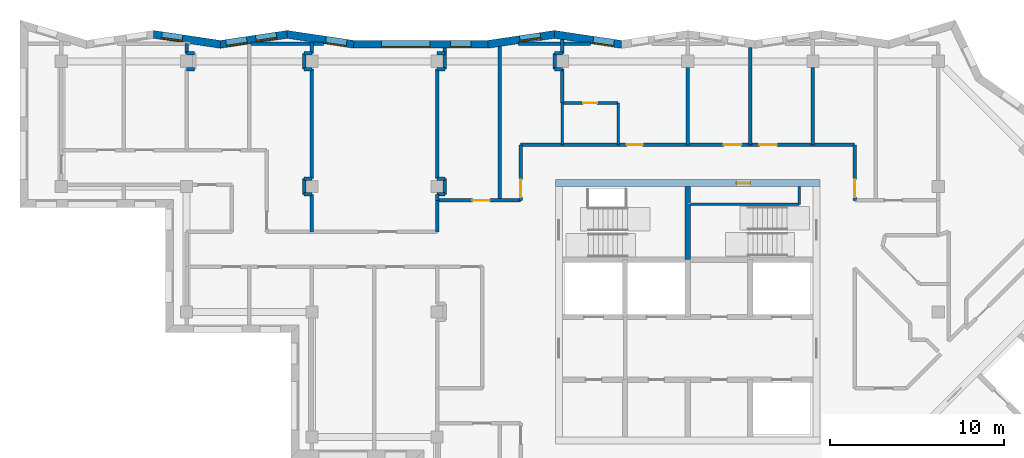
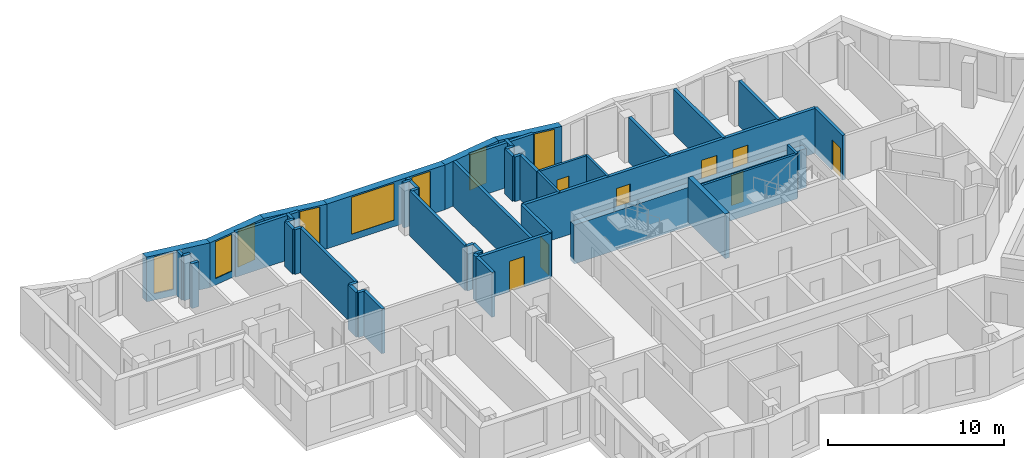
# One storey, part 6 of 12: 49 walls, 8 doors, 8 windows, 16 openings.
"""IFC4 building model written with IfcOpenShell, lengths in metres."""

from ifc_helpers import new_model, si_unit, direction, frame, frame_2d, origin, place, context, subcontext, project, spatial, polyline, rectangle, outline, extrude, material, layer, layer_set, type_object, element, fill, save


model = new_model("IFC4")

# Units and contexts
model_context = context("Model", 3, precision=1e-05, world=origin(), true_north=direction((0.0, 1.0)))
body_context = subcontext(model_context, "Body", "Model", "MODEL_VIEW")
ifc_project = project(units=[si_unit("LENGTHUNIT", "METRE"), si_unit("AREAUNIT", "SQUARE_METRE"), si_unit("VOLUMEUNIT", "CUBIC_METRE"), si_unit("PLANEANGLEUNIT", "RADIAN"), si_unit("MASSUNIT", "GRAM", prefix="KILO")], contexts=[model_context])

# Site, building, storey
site_placement = place(None, origin())
site = spatial("IfcSite", under=ifc_project, at=site_placement, CompositionType="ELEMENT")
building_placement = place(site_placement, origin())
building = spatial("IfcBuilding", under=site, at=building_placement, Name="Windrow Commons", CompositionType="ELEMENT")
storey_placement = place(building_placement, frame((0.0, 0.0, 274.4)))
storey = spatial("IfcBuildingStorey", under=building, at=storey_placement, Name="L75", CompositionType="ELEMENT", Elevation=274.4)

# Wall, opening, window
ifc_material_1 = material(Name="Brick masonry, red clay brick", Category="masonry")
ifc_layer_1 = layer(ifc_material_1, 0.45)
ifc_layer_set_1 = layer_set([ifc_layer_1], Name="Brick facade wall 450")
wall_type_1 = type_object("IfcWallType", Name="Brick facade wall 450", PredefinedType="SOLIDWALL", material=ifc_layer_set_1)
wall_1_placement = place(storey_placement, frame((60.9845, 72.9725, 0.0), z_axis=(0.0, 0.0, 1.0), x_axis=(-0.9890847468, 0.1473477641, 0.0)))
wall_1 = element("IfcWall", 1, at=wall_1_placement, inside=storey, type_object=wall_type_1, Name="Brick facade wall L75 21", PredefinedType="SOLIDWALL", context=body_context, shape_type="SweptSolid", body=[
    extrude(outline(polyline([(0.0335, -0.225), (3.9155, -0.225), (3.8485, 0.225), (-0.0335, 0.225), (0.0335, -0.225)])), origin(), (0.0, 0.0, 1.0), 3.1),
])
opening_1_placement = place(wall_1_placement, frame((0.4286, 0.0, 0.45)))
opening_1 = element("IfcOpeningElement", 2, at=opening_1_placement, cuts=wall_1, Name="Opening W7F", PredefinedType="OPENING", context=body_context, shape_type="SweptSolid", body=[
    extrude(rectangle(XDim=1.2, YDim=2.55, at=frame_2d((0.6, 1.275))), frame((0.0, 0.235, 0.0), z_axis=(0.0, -1.0, 0.0), x_axis=(1.0, 0.0, 0.0)), (0.0, 0.0, 1.0), 0.47),
])
ifc_material_2 = material(Name="Clear float glass in anodised aluminium frame", Category="aluminium")
window_type_1 = type_object("IfcWindowType", Name="Window W7 notch 1200x2550", PartitioningType="SINGLE_PANEL", PredefinedType="WINDOW", material=ifc_material_2)
window_1_placement = place(opening_1_placement, origin())
window_1 = element("IfcWindow", 3, at=window_1_placement, inside=storey, type_object=window_type_1, Name="Window L75 21.1A", OverallHeight=2.55, OverallWidth=1.2, PartitioningType="SINGLE_PANEL", PredefinedType="WINDOW", context=body_context, shape_type="SweptSolid", body=[
    extrude(rectangle(XDim=1.2, YDim=2.55, at=frame_2d((0.6, 1.275))), frame((0.0, 0.205, 0.0), z_axis=(0.0, -1.0, 0.0), x_axis=(1.0, 0.0, 0.0)), (0.0, 0.0, 1.0), 0.06),
])
fill(opening_1, window_1)

wall_2_placement = place(storey_placement, frame((57.1449, 73.5445, 0.0), z_axis=(0.0, 0.0, 1.0), x_axis=(-0.9890857661, -0.1473409217, 0.0)))
wall_2 = element("IfcWall", 4, at=wall_2_placement, inside=storey, type_object=wall_type_1, Name="Brick facade wall L75 22", PredefinedType="SOLIDWALL", context=body_context, shape_type="SweptSolid", body=[
    extrude(outline(polyline([(-0.0335, -0.225), (3.8485, -0.225), (3.8818, 0.225), (0.0335, 0.225), (-0.0335, -0.225)])), origin(), (0.0, 0.0, 1.0), 3.1),
])
opening_2_placement = place(wall_2_placement, frame((0.8066, 0.0, 0.45)))
opening_2 = element("IfcOpeningElement", 5, at=opening_2_placement, cuts=wall_2, Name="Opening W7F", PredefinedType="OPENING", context=body_context, shape_type="SweptSolid", body=[
    extrude(rectangle(XDim=1.2, YDim=2.55, at=frame_2d((0.6, 1.275))), frame((0.0, 0.235, 0.0), z_axis=(0.0, -1.0, 0.0), x_axis=(1.0, 0.0, 0.0)), (0.0, 0.0, 1.0), 0.47),
])
window_2_placement = place(opening_2_placement, origin())
window_2 = element("IfcWindow", 6, at=window_2_placement, inside=storey, type_object=window_type_1, Name="Window L75 22.1", OverallHeight=2.55, OverallWidth=1.2, PartitioningType="SINGLE_PANEL", PredefinedType="WINDOW", context=body_context, shape_type="SweptSolid", body=[
    extrude(rectangle(XDim=1.2, YDim=2.55, at=frame_2d((0.6, 1.275))), frame((0.0, 0.115, 0.0), z_axis=(0.0, -1.0, 0.0), x_axis=(1.0, 0.0, 0.0)), (0.0, 0.0, 1.0), 0.06),
])
fill(opening_2, window_2)

# Wall, openings, windows
wall_3_placement = place(storey_placement, frame((53.3219, 72.975, 0.0), z_axis=(0.0, 0.0, 1.0), x_axis=(-1.0, 0.0, 0.0)))
wall_3 = element("IfcWall", 7, at=wall_3_placement, inside=storey, type_object=wall_type_1, Name="Brick facade wall L75 23", PredefinedType="SOLIDWALL", context=body_context, shape_type="SweptSolid", body=[
    extrude(outline(polyline([(0.0167, -0.225), (7.6959, -0.225), (7.7292, 0.225), (-0.0167, 0.225), (0.0167, -0.225)])), origin(), (0.0, 0.0, 1.0), 3.1),
])
opening_3_placement = place(wall_3_placement, frame((3.3219, 0.0, 0.45)))
opening_3 = element("IfcOpeningElement", 8, at=opening_3_placement, cuts=wall_3, Name="Opening W1V", PredefinedType="OPENING", context=body_context, shape_type="SweptSolid", body=[
    extrude(rectangle(XDim=2.8, YDim=2.55, at=frame_2d((1.4, 1.275))), frame((0.0, 0.235, 0.0), z_axis=(0.0, -1.0, 0.0), x_axis=(1.0, 0.0, 0.0)), (0.0, 0.0, 1.0), 0.47),
])
opening_4_placement = place(wall_3_placement, frame((0.961, 0.0, 0.45)))
opening_4 = element("IfcOpeningElement", 9, at=opening_4_placement, cuts=wall_3, Name="Opening W7F", PredefinedType="OPENING", context=body_context, shape_type="SweptSolid", body=[
    extrude(rectangle(XDim=1.2, YDim=2.55, at=frame_2d((0.6, 1.275))), frame((0.0, 0.235, 0.0), z_axis=(0.0, -1.0, 0.0), x_axis=(1.0, 0.0, 0.0)), (0.0, 0.0, 1.0), 0.47),
])
ifc_material_3 = material(Name="Clear float glass in anodised aluminium frame", Category="aluminium")
window_type_2 = type_object("IfcWindowType", Name="Window W1V bedroom 2800x2550", PartitioningType="SINGLE_PANEL", PredefinedType="WINDOW", material=ifc_material_3)
window_3_placement = place(opening_3_placement, origin())
window_3 = element("IfcWindow", 10, at=window_3_placement, inside=storey, type_object=window_type_2, Name="Window L75 23.1", OverallHeight=2.55, OverallWidth=2.8, PartitioningType="SINGLE_PANEL", PredefinedType="WINDOW", context=body_context, shape_type="SweptSolid", body=[
    extrude(rectangle(XDim=2.8, YDim=2.55, at=frame_2d((1.4, 1.275))), frame((0.0, 0.205, 0.0), z_axis=(0.0, -1.0, 0.0), x_axis=(1.0, 0.0, 0.0)), (0.0, 0.0, 1.0), 0.06),
])
fill(opening_3, window_3)
window_4_placement = place(opening_4_placement, origin())
window_4 = element("IfcWindow", 11, at=window_4_placement, inside=storey, type_object=window_type_1, Name="Window L75 23.2", OverallHeight=2.55, OverallWidth=1.2, PartitioningType="SINGLE_PANEL", PredefinedType="WINDOW", context=body_context, shape_type="SweptSolid", body=[
    extrude(rectangle(XDim=1.2, YDim=2.55, at=frame_2d((0.6, 1.275))), frame((0.0, 0.205, 0.0), z_axis=(0.0, -1.0, 0.0), x_axis=(1.0, 0.0, 0.0)), (0.0, 0.0, 1.0), 0.06),
])
fill(opening_4, window_4)

# Wall, opening, window
wall_4_placement = place(storey_placement, frame((45.6094, 72.975, 0.0), z_axis=(0.0, 0.0, 1.0), x_axis=(-0.9890857661, 0.1473409217, 0.0)))
wall_4 = element("IfcWall", 12, at=wall_4_placement, inside=storey, type_object=wall_type_1, Name="Brick facade wall L75 24", PredefinedType="SOLIDWALL", context=body_context, shape_type="SweptSolid", body=[
    extrude(outline(polyline([(0.0167, -0.225), (3.8987, -0.225), (3.8316, 0.225), (-0.0167, 0.225), (0.0167, -0.225)])), origin(), (0.0, 0.0, 1.0), 3.1),
])
opening_5_placement = place(wall_4_placement, frame((0.418, 0.0, 0.45)))
opening_5 = element("IfcOpeningElement", 13, at=opening_5_placement, cuts=wall_4, Name="Opening W7F", PredefinedType="OPENING", context=body_context, shape_type="SweptSolid", body=[
    extrude(rectangle(XDim=1.2, YDim=2.55, at=frame_2d((0.6, 1.275))), frame((0.0, 0.235, 0.0), z_axis=(0.0, -1.0, 0.0), x_axis=(1.0, 0.0, 0.0)), (0.0, 0.0, 1.0), 0.47),
])
window_5_placement = place(opening_5_placement, origin())
window_5 = element("IfcWindow", 14, at=window_5_placement, inside=storey, type_object=window_type_1, Name="Window L75 24.1", OverallHeight=2.55, OverallWidth=1.2, PartitioningType="SINGLE_PANEL", PredefinedType="WINDOW", context=body_context, shape_type="SweptSolid", body=[
    extrude(rectangle(XDim=1.2, YDim=2.55, at=frame_2d((0.6, 1.275))), frame((0.0, 0.205, 0.0), z_axis=(0.0, -1.0, 0.0), x_axis=(1.0, 0.0, 0.0)), (0.0, 0.0, 1.0), 0.06),
])
fill(opening_5, window_5)

# Wall, openings, windows
wall_5_placement = place(storey_placement, frame((41.7864, 73.5445, 0.0), z_axis=(0.0, 0.0, 1.0), x_axis=(-0.9890847468, -0.1473477641, 0.0)))
wall_5 = element("IfcWall", 15, at=wall_5_placement, inside=storey, type_object=wall_type_1, Name="Brick facade wall L75 25", PredefinedType="SOLIDWALL", context=body_context, shape_type="SweptSolid", body=[
    extrude(outline(polyline([(-0.0335, -0.225), (3.8485, -0.225), (3.9155, 0.225), (0.0335, 0.225), (-0.0335, -0.225)])), origin(), (0.0, 0.0, 1.0), 3.1),
])
opening_6_placement = place(wall_5_placement, frame((0.622, 0.0, 0.45)))
opening_6 = element("IfcOpeningElement", 16, at=opening_6_placement, cuts=wall_5, Name="Opening W7F", PredefinedType="OPENING", context=body_context, shape_type="SweptSolid", body=[
    extrude(rectangle(XDim=1.2, YDim=2.55, at=frame_2d((0.6, 1.275))), frame((0.0, 0.235, 0.0), z_axis=(0.0, -1.0, 0.0), x_axis=(1.0, 0.0, 0.0)), (0.0, 0.0, 1.0), 0.47),
])
opening_7_placement = place(wall_5_placement, frame((2.3463, 0.0, 0.45)))
opening_7 = element("IfcOpeningElement", 17, at=opening_7_placement, cuts=wall_5, Name="Opening W7F", PredefinedType="OPENING", context=body_context, shape_type="SweptSolid", body=[
    extrude(rectangle(XDim=1.2, YDim=2.55, at=frame_2d((0.6, 1.275))), frame((0.0, 0.235, 0.0), z_axis=(0.0, -1.0, 0.0), x_axis=(1.0, 0.0, 0.0)), (0.0, 0.0, 1.0), 0.47),
])
window_6_placement = place(opening_6_placement, origin())
window_6 = element("IfcWindow", 18, at=window_6_placement, inside=storey, type_object=window_type_1, Name="Window L75 25.1", OverallHeight=2.55, OverallWidth=1.2, PartitioningType="SINGLE_PANEL", PredefinedType="WINDOW", context=body_context, shape_type="SweptSolid", body=[
    extrude(rectangle(XDim=1.2, YDim=2.55, at=frame_2d((0.6, 1.275))), frame((0.0, 0.145, 0.0), z_axis=(0.0, -1.0, 0.0), x_axis=(1.0, 0.0, 0.0)), (0.0, 0.0, 1.0), 0.06),
])
fill(opening_6, window_6)
window_7_placement = place(opening_7_placement, origin())
window_7 = element("IfcWindow", 19, at=window_7_placement, inside=storey, type_object=window_type_1, Name="Window L75 25.2", OverallHeight=2.55, OverallWidth=1.2, PartitioningType="SINGLE_PANEL", PredefinedType="WINDOW", context=body_context, shape_type="SweptSolid", body=[
    extrude(rectangle(XDim=1.2, YDim=2.55, at=frame_2d((0.6, 1.275))), frame((0.0, 0.175, 0.0), z_axis=(0.0, -1.0, 0.0), x_axis=(1.0, 0.0, 0.0)), (0.0, 0.0, 1.0), 0.06),
])
fill(opening_7, window_7)

# Wall, opening, window
wall_6_placement = place(storey_placement, frame((37.9468, 72.9725, 0.0), z_axis=(0.0, 0.0, 1.0), x_axis=(-0.9890847468, 0.1473477641, 0.0)))
wall_6 = element("IfcWall", 20, at=wall_6_placement, inside=storey, type_object=wall_type_1, Name="Brick facade wall L75 26", PredefinedType="SOLIDWALL", context=body_context, shape_type="SweptSolid", body=[
    extrude(outline(polyline([(0.0335, -0.225), (3.9155, -0.225), (3.8485, 0.225), (-0.0335, 0.225), (0.0335, -0.225)])), origin(), (0.0, 0.0, 1.0), 3.1),
])
opening_8_placement = place(wall_6_placement, frame((2.2084, 0.0, 0.45)))
opening_8 = element("IfcOpeningElement", 21, at=opening_8_placement, cuts=wall_6, Name="Opening W7F", PredefinedType="OPENING", context=body_context, shape_type="SweptSolid", body=[
    extrude(rectangle(XDim=1.2, YDim=2.55, at=frame_2d((0.6, 1.275))), frame((0.0, 0.235, 0.0), z_axis=(0.0, -1.0, 0.0), x_axis=(1.0, 0.0, 0.0)), (0.0, 0.0, 1.0), 0.47),
])
window_8_placement = place(opening_8_placement, origin())
window_8 = element("IfcWindow", 22, at=window_8_placement, inside=storey, type_object=window_type_1, Name="Window L75 26.2", OverallHeight=2.55, OverallWidth=1.2, PartitioningType="SINGLE_PANEL", PredefinedType="WINDOW", context=body_context, shape_type="SweptSolid", body=[
    extrude(rectangle(XDim=1.2, YDim=2.55, at=frame_2d((0.6, 1.275))), frame((0.0, 0.165, 0.0), z_axis=(0.0, -1.0, 0.0), x_axis=(1.0, 0.0, 0.0)), (0.0, 0.0, 1.0), 0.06),
])
fill(opening_8, window_8)

# Wall, openings, doors
ifc_material_4 = material(Name="Blockwork partition", Category="masonry")
ifc_layer_2 = layer(ifc_material_4, 0.2)
ifc_layer_set_2 = layer_set([ifc_layer_2], Name="IW-CORRIDOR-200")
wall_type_2 = type_object("IfcWallType", Name="IW-CORRIDOR-200", PredefinedType="PARTITIONING", material=ifc_layer_set_2)
wall_7_placement = place(storey_placement, frame((55.2, 67.2, 0.0), z_axis=(0.0, 0.0, 1.0), x_axis=(1.0, 0.0, 0.0)))
wall_7 = element("IfcWall", 23, at=wall_7_placement, inside=storey, type_object=wall_type_2, Name="W-L75-W000", PredefinedType="PARTITIONING", context=body_context, shape_type="SweptSolid", body=[
    extrude(rectangle(XDim=19.2, YDim=0.2, at=frame_2d((9.6, 0.0))), origin(), (0.0, 0.0, 1.0), 3.1),
])
opening_9_placement = place(wall_7_placement, frame((6.1081, 0.0, 0.0)))
opening_9 = element("IfcOpeningElement", 24, at=opening_9_placement, cuts=wall_7, Name="Opening D109F", PredefinedType="OPENING", context=body_context, shape_type="SweptSolid", body=[
    extrude(rectangle(XDim=0.9, YDim=2.1, at=frame_2d((0.45, 1.05))), frame((0.0, 0.11, 0.0), z_axis=(0.0, -1.0, 0.0), x_axis=(1.0, 0.0, 0.0)), (0.0, 0.0, 1.0), 0.22),
])
opening_10_placement = place(wall_7_placement, frame((11.675, 0.0, 0.0)))
opening_10 = element("IfcOpeningElement", 25, at=opening_10_placement, cuts=wall_7, Name="Opening D310F", PredefinedType="OPENING", context=body_context, shape_type="SweptSolid", body=[
    extrude(rectangle(XDim=1.0, YDim=2.1, at=frame_2d((0.5, 1.05))), frame((0.0, 0.11, 0.0), z_axis=(0.0, -1.0, 0.0), x_axis=(1.0, 0.0, 0.0)), (0.0, 0.0, 1.0), 0.22),
])
opening_11_placement = place(wall_7_placement, frame((13.725, 0.0, 0.0)))
opening_11 = element("IfcOpeningElement", 26, at=opening_11_placement, cuts=wall_7, Name="Opening D310F", PredefinedType="OPENING", context=body_context, shape_type="SweptSolid", body=[
    extrude(rectangle(XDim=1.0, YDim=2.1, at=frame_2d((0.5, 1.05))), frame((0.0, 0.11, 0.0), z_axis=(0.0, -1.0, 0.0), x_axis=(1.0, 0.0, 0.0)), (0.0, 0.0, 1.0), 0.22),
])
ifc_material_5 = material(Name="Timber door leaf", Category="wood")
door_type_1 = type_object("IfcDoorType", Name="DT-AMENITY-1000", OperationType="SINGLE_SWING_LEFT", PredefinedType="DOOR", material=ifc_material_5)
door_1_placement = place(opening_10_placement, origin())
door_1 = element("IfcDoor", 27, at=door_1_placement, inside=storey, type_object=door_type_1, Name="D-L75-D011", OperationType="SINGLE_SWING_RIGHT", OverallHeight=2.1, OverallWidth=1.0, PredefinedType="DOOR", context=body_context, shape_type="SweptSolid", body=[
    extrude(rectangle(XDim=1.0, YDim=2.1, at=frame_2d((0.5, 1.05))), frame((0.0, 0.025, 0.0), z_axis=(0.0, -1.0, 0.0), x_axis=(1.0, 0.0, 0.0)), (0.0, 0.0, 1.0), 0.05),
])
fill(opening_10, door_1)
door_2_placement = place(opening_11_placement, origin())
door_2 = element("IfcDoor", 28, at=door_2_placement, inside=storey, type_object=door_type_1, Name="D-L75-D012", OperationType="SINGLE_SWING_LEFT", OverallHeight=2.1, OverallWidth=1.0, PredefinedType="DOOR", context=body_context, shape_type="SweptSolid", body=[
    extrude(rectangle(XDim=1.0, YDim=2.1, at=frame_2d((0.5, 1.05))), frame((0.0, 0.025, 0.0), z_axis=(0.0, -1.0, 0.0), x_axis=(1.0, 0.0, 0.0)), (0.0, 0.0, 1.0), 0.05),
])
fill(opening_11, door_2)
ifc_material_6 = material(Name="Timber door leaf", Category="wood")
door_type_2 = type_object("IfcDoorType", Name="DT-BEDROOM-900", OperationType="SINGLE_SWING_LEFT", PredefinedType="DOOR", material=ifc_material_6)
door_3_placement = place(opening_9_placement, origin())
door_3 = element("IfcDoor", 29, at=door_3_placement, inside=storey, type_object=door_type_2, Name="D-L75-D009", OperationType="SINGLE_SWING_RIGHT", OverallHeight=2.1, OverallWidth=0.9, PredefinedType="DOOR", context=body_context, shape_type="SweptSolid", body=[
    extrude(rectangle(XDim=0.9, YDim=2.1, at=frame_2d((0.45, 1.05))), frame((0.0, 0.025, 0.0), z_axis=(0.0, -1.0, 0.0), x_axis=(1.0, 0.0, 0.0)), (0.0, 0.0, 1.0), 0.05),
])
fill(opening_9, door_3)

# Wall, opening, door
wall_8_placement = place(storey_placement, frame((50.4, 64.0, 0.0), z_axis=(0.0, 0.0, 1.0), x_axis=(1.0, 0.0, 0.0)))
wall_8 = element("IfcWall", 30, at=wall_8_placement, inside=storey, type_object=wall_type_2, Name="W-L75-W031", PredefinedType="PARTITIONING", context=body_context, shape_type="SweptSolid", body=[
    extrude(rectangle(XDim=4.8, YDim=0.2, at=frame_2d((2.4, 0.0))), origin(), (0.0, 0.0, 1.0), 3.1),
])
opening_12_placement = place(wall_8_placement, frame((2.0325, 0.0, 0.0)))
opening_12 = element("IfcOpeningElement", 31, at=opening_12_placement, cuts=wall_8, Name="Opening D310F", PredefinedType="OPENING", context=body_context, shape_type="SweptSolid", body=[
    extrude(rectangle(XDim=1.0, YDim=2.1, at=frame_2d((0.5, 1.05))), frame((0.0, 0.11, 0.0), z_axis=(0.0, -1.0, 0.0), x_axis=(1.0, 0.0, 0.0)), (0.0, 0.0, 1.0), 0.22),
])
door_4_placement = place(opening_12_placement, origin())
door_4 = element("IfcDoor", 32, at=door_4_placement, inside=storey, type_object=door_type_1, Name="D-L75-D003", OperationType="SINGLE_SWING_RIGHT", OverallHeight=2.1, OverallWidth=1.0, PredefinedType="DOOR", context=body_context, shape_type="SweptSolid", body=[
    extrude(rectangle(XDim=1.0, YDim=2.1, at=frame_2d((0.5, 1.05))), frame((0.0, 0.025, 0.0), z_axis=(0.0, -1.0, 0.0), x_axis=(1.0, 0.0, 0.0)), (0.0, 0.0, 1.0), 0.05),
])
fill(opening_12, door_4)

wall_9_placement = place(storey_placement, frame((55.2, 64.002, 0.0), z_axis=(0.0, 0.0, 1.0), x_axis=(0.0, 1.0, 0.0)))
wall_9 = element("IfcWall", 33, at=wall_9_placement, inside=storey, type_object=wall_type_2, Name="W-L75-W056", PredefinedType="PARTITIONING", context=body_context, shape_type="SweptSolid", body=[
    extrude(rectangle(XDim=3.198, YDim=0.2, at=frame_2d((1.599, 0.0))), origin(), (0.0, 0.0, 1.0), 3.1),
])
opening_13_placement = place(wall_9_placement, frame((0.1937, 0.0, 0.0)))
opening_13 = element("IfcOpeningElement", 34, at=opening_13_placement, cuts=wall_9, Name="Opening D310F", PredefinedType="OPENING", context=body_context, shape_type="SweptSolid", body=[
    extrude(rectangle(XDim=1.0, YDim=2.1, at=frame_2d((0.5, 1.05))), frame((0.0, 0.11, 0.0), z_axis=(0.0, -1.0, 0.0), x_axis=(1.0, 0.0, 0.0)), (0.0, 0.0, 1.0), 0.22),
])
door_5_placement = place(opening_13_placement, origin())
door_5 = element("IfcDoor", 35, at=door_5_placement, inside=storey, type_object=door_type_1, Name="D-L75-D004", OperationType="SINGLE_SWING_LEFT", OverallHeight=2.1, OverallWidth=1.0, PredefinedType="DOOR", context=body_context, shape_type="SweptSolid", body=[
    extrude(rectangle(XDim=1.0, YDim=2.1, at=frame_2d((0.5, 1.05))), frame((0.0, 0.025, 0.0), z_axis=(0.0, -1.0, 0.0), x_axis=(1.0, 0.0, 0.0)), (0.0, 0.0, 1.0), 0.05),
])
fill(opening_13, door_5)

wall_10_placement = place(storey_placement, frame((74.4, 64.002, 0.0), z_axis=(0.0, 0.0, 1.0), x_axis=(0.0, 1.0, 0.0)))
wall_10 = element("IfcWall", 36, at=wall_10_placement, inside=storey, type_object=wall_type_2, Name="W-L75-W057", PredefinedType="PARTITIONING", context=body_context, shape_type="SweptSolid", body=[
    extrude(rectangle(XDim=3.198, YDim=0.2, at=frame_2d((1.599, 0.0))), origin(), (0.0, 0.0, 1.0), 3.1),
])
opening_14_placement = place(wall_10_placement, frame((0.1937, 0.0, 0.0)))
opening_14 = element("IfcOpeningElement", 37, at=opening_14_placement, cuts=wall_10, Name="Opening D310F", PredefinedType="OPENING", context=body_context, shape_type="SweptSolid", body=[
    extrude(rectangle(XDim=1.0, YDim=2.1, at=frame_2d((0.5, 1.05))), frame((0.0, 0.11, 0.0), z_axis=(0.0, -1.0, 0.0), x_axis=(1.0, 0.0, 0.0)), (0.0, 0.0, 1.0), 0.22),
])
door_6_placement = place(opening_14_placement, origin())
door_6 = element("IfcDoor", 38, at=door_6_placement, inside=storey, type_object=door_type_1, Name="D-L75-D005", OperationType="SINGLE_SWING_RIGHT", OverallHeight=2.1, OverallWidth=1.0, PredefinedType="DOOR", context=body_context, shape_type="SweptSolid", body=[
    extrude(rectangle(XDim=1.0, YDim=2.1, at=frame_2d((0.5, 1.05))), frame((0.0, 0.025, 0.0), z_axis=(0.0, -1.0, 0.0), x_axis=(1.0, 0.0, 0.0)), (0.0, 0.0, 1.0), 0.05),
])
fill(opening_14, door_6)

# Wall
wall_11_placement = place(storey_placement, frame((50.4, 62.202, 0.0), z_axis=(0.0, 0.0, 1.0), x_axis=(0.0, 1.0, 0.0)))
element("IfcWall", 39, at=wall_11_placement, inside=storey, type_object=wall_type_2, Name="W-L75-W096", PredefinedType="PARTITIONING", context=body_context, shape_type="SweptSolid", body=[
    extrude(rectangle(XDim=1.798, YDim=0.2, at=frame_2d((0.899, 0.0))), origin(), (0.0, 0.0, 1.0), 3.1),
])

# Wall, opening, door
ifc_material_7 = material(Name="Blockwork partition", Category="masonry")
ifc_layer_3 = layer(ifc_material_7, 0.15)
ifc_layer_set_3 = layer_set([ifc_layer_3], Name="IW-ENSUITE-150")
wall_type_3 = type_object("IfcWallType", Name="IW-ENSUITE-150", PredefinedType="PARTITIONING", material=ifc_layer_set_3)
wall_12_placement = place(storey_placement, frame((57.6, 69.6, 0.0), z_axis=(0.0, 0.0, 1.0), x_axis=(1.0, 0.0, 0.0)))
wall_12 = element("IfcWall", 40, at=wall_12_placement, inside=storey, type_object=wall_type_3, Name="W-L75-W055", PredefinedType="PARTITIONING", context=body_context, shape_type="SweptSolid", body=[
    extrude(rectangle(XDim=3.2, YDim=0.15, at=frame_2d((1.6, 0.0))), origin(), (0.0, 0.0, 1.0), 3.1),
])
opening_15_placement = place(wall_12_placement, frame((1.1958, 0.0, 0.0)))
opening_15 = element("IfcOpeningElement", 41, at=opening_15_placement, cuts=wall_12, Name="Opening D208N", PredefinedType="OPENING", context=body_context, shape_type="SweptSolid", body=[
    extrude(rectangle(XDim=0.8, YDim=2.1, at=frame_2d((0.4, 1.05))), frame((0.0, 0.085, 0.0), z_axis=(0.0, -1.0, 0.0), x_axis=(1.0, 0.0, 0.0)), (0.0, 0.0, 1.0), 0.17),
])
ifc_material_8 = material(Name="Timber door leaf", Category="wood")
door_type_3 = type_object("IfcDoorType", Name="DT-ENSUITE-800", OperationType="SINGLE_SWING_LEFT", PredefinedType="DOOR", material=ifc_material_8)
door_7_placement = place(opening_15_placement, origin())
door_7 = element("IfcDoor", 42, at=door_7_placement, inside=storey, type_object=door_type_3, Name="D-L75-D010", OperationType="SINGLE_SWING_RIGHT", OverallHeight=2.1, OverallWidth=0.8, PredefinedType="DOOR", context=body_context, shape_type="SweptSolid", body=[
    extrude(rectangle(XDim=0.8, YDim=2.1, at=frame_2d((0.4, 1.05))), frame((0.0, 0.025, 0.0), z_axis=(0.0, -1.0, 0.0), x_axis=(1.0, 0.0, 0.0)), (0.0, 0.0, 1.0), 0.05),
])
fill(opening_15, door_7)

# Walls
for number, where, z_axis, x_axis, name in (
    (43, (60.8, 67.2, 0.0), (0.0, 0.0, 1.0), (0.0, 1.0, 0.0), "W-L75-W076"),
    (44, (57.6, 67.2, 0.0), (0.0, 0.0, 1.0), (0.0, 1.0, 0.0), "W-L75-W077"),
):
    element("IfcWall", number, at=place(storey_placement, frame(where, z_axis=z_axis, x_axis=x_axis)), inside=storey, type_object=wall_type_3, Name=name, PredefinedType="PARTITIONING", context=body_context, shape_type="SweptSolid", body=[
        extrude(rectangle(XDim=2.4, YDim=0.15, at=frame_2d((1.2, 0.0))), origin(), (0.0, 0.0, 1.0), 3.1),
    ])
ifc_material_9 = material(Name="Blockwork partition", Category="masonry")
ifc_layer_4 = layer(ifc_material_9, 0.2)
ifc_layer_set_4 = layer_set([ifc_layer_4], Name="IW-PARTY-200")
wall_type_4 = type_object("IfcWallType", Name="IW-PARTY-200", PredefinedType="PARTITIONING", material=ifc_layer_set_4)
wall_13_placement = place(storey_placement, frame((54.0, 64.0, 0.0), z_axis=(0.0, 0.0, 1.0), x_axis=(0.0, 1.0, 0.0)))
element("IfcWall", 45, at=wall_13_placement, inside=storey, type_object=wall_type_4, Name="W-L75-W010", PredefinedType="PARTITIONING", context=body_context, shape_type="SweptSolid", body=[
    extrude(rectangle(XDim=8.8485, YDim=0.2, at=frame_2d((4.4242, 0.0))), origin(), (0.0, 0.0, 1.0), 3.1),
])
for number, where, z_axis, x_axis, name in (
    (46, (43.2, 65.254, 0.0), (0.0, 0.0, 1.0), (0.0, 1.0, 0.0), "W-L75-W022"),
    (47, (50.4, 65.254, 0.0), (0.0, 0.0, 1.0), (0.0, 1.0, 0.0), "W-L75-W023"),
):
    element("IfcWall", number, at=place(storey_placement, frame(where, z_axis=z_axis, x_axis=x_axis)), inside=storey, type_object=wall_type_4, Name=name, PredefinedType="PARTITIONING", context=body_context, shape_type="SweptSolid", body=[
        extrude(rectangle(XDim=6.292, YDim=0.2, at=frame_2d((3.146, 0.0))), origin(), (0.0, 0.0, 1.0), 3.1),
    ])
wall_14_placement = place(storey_placement, frame((68.4, 67.2, 0.0), z_axis=(0.0, 0.0, 1.0), x_axis=(0.0, 1.0, 0.0)))
element("IfcWall", 48, at=wall_14_placement, inside=storey, type_object=wall_type_4, Name="W-L75-W029", PredefinedType="PARTITIONING", context=body_context, shape_type="SweptSolid", body=[
    extrude(rectangle(XDim=5.5843, YDim=0.2, at=frame_2d((2.7921, 0.0))), origin(), (0.0, 0.0, 1.0), 3.1),
])
for number, where, z_axis, x_axis, name in (
    (49, (64.8, 67.2, 0.0), (0.0, 0.0, 1.0), (0.0, 1.0, 0.0), "W-L75-W039"),
    (50, (72.0, 67.2, 0.0), (0.0, 0.0, 1.0), (0.0, 1.0, 0.0), "W-L75-W041"),
):
    element("IfcWall", number, at=place(storey_placement, frame(where, z_axis=z_axis, x_axis=x_axis)), inside=storey, type_object=wall_type_4, Name=name, PredefinedType="PARTITIONING", context=body_context, shape_type="SweptSolid", body=[
        extrude(rectangle(XDim=4.45, YDim=0.2, at=frame_2d((2.225, 0.0))), origin(), (0.0, 0.0, 1.0), 3.1),
    ])
wall_15_placement = place(storey_placement, frame((55.0668, 73.0, 0.0), z_axis=(0.0, 0.0, 1.0), x_axis=(1.0, 0.0, 0.0)))
element("IfcWall", 51, at=wall_15_placement, inside=storey, type_object=wall_type_4, Name="W-L75-W045", PredefinedType="PARTITIONING", context=body_context, shape_type="SweptSolid", body=[
    extrude(rectangle(XDim=4.1562, YDim=0.2, at=frame_2d((2.0781, 0.0))), origin(), (0.0, 0.0, 1.0), 3.1),
])
wall_16_placement = place(storey_placement, frame((39.7083, 73.0, 0.0), z_axis=(0.0, 0.0, 1.0), x_axis=(1.0, 0.0, 0.0)))
element("IfcWall", 52, at=wall_16_placement, inside=storey, type_object=wall_type_4, Name="W-L75-W046", PredefinedType="PARTITIONING", context=body_context, shape_type="SweptSolid", body=[
    extrude(rectangle(XDim=4.1563, YDim=0.2, at=frame_2d((2.0781, 0.0))), origin(), (0.0, 0.0, 1.0), 3.1),
])
wall_17_placement = place(storey_placement, frame((43.2, 62.2, 0.0), z_axis=(0.0, 0.0, 1.0), x_axis=(0.0, 1.0, 0.0)))
element("IfcWall", 53, at=wall_17_placement, inside=storey, type_object=wall_type_4, Name="W-L75-W082", PredefinedType="PARTITIONING", context=body_context, shape_type="SweptSolid", body=[
    extrude(rectangle(XDim=2.146, YDim=0.2, at=frame_2d((1.073, 0.0))), origin(), (0.0, 0.0, 1.0), 3.1),
])
wall_18_placement = place(storey_placement, frame((57.6, 69.6, 0.0), z_axis=(0.0, 0.0, 1.0), x_axis=(0.0, 1.0, 0.0)))
element("IfcWall", 54, at=wall_18_placement, inside=storey, type_object=wall_type_4, Name="W-L75-W092", PredefinedType="PARTITIONING", context=body_context, shape_type="SweptSolid", body=[
    extrude(rectangle(XDim=1.946, YDim=0.2, at=frame_2d((0.973, 0.0))), origin(), (0.0, 0.0, 1.0), 3.1),
])
for number, where, z_axis, x_axis, name in (
    (55, (42.75, 64.346, 0.0), (0.0, 0.0, 1.0), (0.0, 1.0, 0.0), "W-L75-W109"),
    (56, (50.85, 64.346, 0.0), (0.0, 0.0, 1.0), (0.0, 1.0, 0.0), "W-L75-W110"),
    (57, (42.75, 71.546, 0.0), (0.0, 0.0, 1.0), (0.0, 1.0, 0.0), "W-L75-W112"),
):
    element("IfcWall", number, at=place(storey_placement, frame(where, z_axis=z_axis, x_axis=x_axis)), inside=storey, type_object=wall_type_4, Name=name, PredefinedType="PARTITIONING", context=body_context, shape_type="SweptSolid", body=[
        extrude(rectangle(XDim=0.908, YDim=0.2, at=frame_2d((0.454, 0.0))), origin(), (0.0, 0.0, 1.0), 3.1),
    ])
wall_19_placement = place(storey_placement, frame((50.85, 71.546, 0.0), z_axis=(0.0, 0.0, 1.0), x_axis=(0.0, 1.0, 0.0)))
element("IfcWall", 58, at=wall_19_placement, inside=storey, type_object=wall_type_4, Name="W-L75-W113", PredefinedType="PARTITIONING", context=body_context, shape_type="SweptSolid", body=[
    extrude(rectangle(XDim=1.204, YDim=0.2, at=frame_2d((0.602, 0.0))), origin(), (0.0, 0.0, 1.0), 3.1),
])
wall_20_placement = place(storey_placement, frame((57.15, 71.546, 0.0), z_axis=(0.0, 0.0, 1.0), x_axis=(0.0, 1.0, 0.0)))
element("IfcWall", 59, at=wall_20_placement, inside=storey, type_object=wall_type_4, Name="W-L75-W114", PredefinedType="PARTITIONING", context=body_context, shape_type="SweptSolid", body=[
    extrude(rectangle(XDim=0.908, YDim=0.2, at=frame_2d((0.454, 0.0))), origin(), (0.0, 0.0, 1.0), 3.1),
])
wall_21_placement = place(storey_placement, frame((43.2, 72.454, 0.0), z_axis=(0.0, 0.0, 1.0), x_axis=(0.0, 1.0, 0.0)))
element("IfcWall", 60, at=wall_21_placement, inside=storey, type_object=wall_type_4, Name="W-L75-W130", PredefinedType="PARTITIONING", context=body_context, shape_type="SweptSolid", body=[
    extrude(rectangle(XDim=0.6525, YDim=0.2, at=frame_2d((0.3262, 0.0))), origin(), (0.0, 0.0, 1.0), 3.1),
])
wall_22_placement = place(storey_placement, frame((57.6, 72.454, 0.0), z_axis=(0.0, 0.0, 1.0), x_axis=(0.0, 1.0, 0.0)))
element("IfcWall", 61, at=wall_22_placement, inside=storey, type_object=wall_type_4, Name="W-L75-W131", PredefinedType="PARTITIONING", context=body_context, shape_type="SweptSolid", body=[
    extrude(rectangle(XDim=0.7952, YDim=0.2, at=frame_2d((0.3976, 0.0))), origin(), (0.0, 0.0, 1.0), 3.1),
])
wall_23_placement = place(storey_placement, frame((36.0, 72.454, 0.0), z_axis=(0.0, 0.0, 1.0), x_axis=(0.0, 1.0, 0.0)))
element("IfcWall", 62, at=wall_23_placement, inside=storey, type_object=wall_type_4, Name="W-L75-W132", PredefinedType="PARTITIONING", context=body_context, shape_type="SweptSolid", body=[
    extrude(rectangle(XDim=0.5811, YDim=0.2, at=frame_2d((0.2905, 0.0))), origin(), (0.0, 0.0, 1.0), 3.1),
])
for number, where, z_axis, x_axis, name in (
    (63, (36.0, 71.55, 0.0), (0.0, 0.0, 1.0), (1.0, 0.0, 0.0), "W-L75-W135"),
    (64, (42.75, 71.55, 0.0), (0.0, 0.0, 1.0), (1.0, 0.0, 0.0), "W-L75-W136"),
    (65, (50.4, 71.55, 0.0), (0.0, 0.0, 1.0), (1.0, 0.0, 0.0), "W-L75-W137"),
    (66, (57.15, 71.55, 0.0), (0.0, 0.0, 1.0), (1.0, 0.0, 0.0), "W-L75-W138"),
    (67, (36.0, 72.45, 0.0), (0.0, 0.0, 1.0), (1.0, 0.0, 0.0), "W-L75-W139"),
    (68, (42.75, 72.45, 0.0), (0.0, 0.0, 1.0), (1.0, 0.0, 0.0), "W-L75-W140"),
    (69, (50.4, 72.45, 0.0), (0.0, 0.0, 1.0), (1.0, 0.0, 0.0), "W-L75-W141"),
    (70, (57.15, 72.45, 0.0), (0.0, 0.0, 1.0), (1.0, 0.0, 0.0), "W-L75-W142"),
    (71, (42.75, 65.25, 0.0), (0.0, 0.0, 1.0), (1.0, 0.0, 0.0), "W-L75-W143"),
    (72, (50.4, 65.25, 0.0), (0.0, 0.0, 1.0), (1.0, 0.0, 0.0), "W-L75-W144"),
    (73, (42.75, 64.35, 0.0), (0.0, 0.0, 1.0), (1.0, 0.0, 0.0), "W-L75-W145"),
    (74, (50.4, 64.35, 0.0), (0.0, 0.0, 1.0), (1.0, 0.0, 0.0), "W-L75-W146"),
):
    element("IfcWall", number, at=place(storey_placement, frame(where, z_axis=z_axis, x_axis=x_axis)), inside=storey, type_object=wall_type_4, Name=name, PredefinedType="PARTITIONING", context=body_context, shape_type="SweptSolid", body=[
        extrude(rectangle(XDim=0.45, YDim=0.2, at=frame_2d((0.225, 0.0))), origin(), (0.0, 0.0, 1.0), 3.1),
    ])
wall_24_placement = place(storey_placement, frame((50.4, 64.0, 0.0), z_axis=(0.0, 0.0, 1.0), x_axis=(0.0, 1.0, 0.0)))
element("IfcWall", 75, at=wall_24_placement, inside=storey, type_object=wall_type_4, Name="W-L75-W155", PredefinedType="PARTITIONING", context=body_context, shape_type="SweptSolid", body=[
    extrude(rectangle(XDim=0.346, YDim=0.2, at=frame_2d((0.173, 0.0))), origin(), (0.0, 0.0, 1.0), 3.1),
])

# Wall, opening, door
ifc_material_10 = material(Name="Concrete C40/50", Category="concrete")
ifc_layer_5 = layer(ifc_material_10, 0.4)
ifc_layer_set_5 = layer_set([ifc_layer_5], Name="RC CORE WALL 400 C40/50")
wall_type_5 = type_object("IfcWallType", Name="RC CORE WALL 400 C40/50", PredefinedType="SHEAR", material=ifc_layer_set_5)
wall_25_placement = place(storey_placement, frame((57.2, 65.0, -0.3), z_axis=(0.0, 0.0, 1.0), x_axis=(1.0, 0.0, 0.0)))
wall_25 = element("IfcWall", 76, at=wall_25_placement, inside=storey, type_object=wall_type_5, Name="Core A wall outer-N", PredefinedType="SHEAR", context=body_context, shape_type="SweptSolid", body=[
    extrude(rectangle(XDim=15.2, YDim=0.4, at=frame_2d((7.6, 0.0))), origin(), (0.0, 0.0, 1.0), 2.7),
])
opening_16_placement = place(wall_25_placement, frame((10.4, 0.0, 0.3)))
opening_16 = element("IfcOpeningElement", 77, at=opening_16_placement, cuts=wall_25, Name="Opening D9", PredefinedType="OPENING", context=body_context, shape_type="SweptSolid", body=[
    extrude(rectangle(XDim=0.8, YDim=2.1, at=frame_2d((0.4, 1.05))), frame((0.0, 0.21, 0.0), z_axis=(0.0, -1.0, 0.0), x_axis=(1.0, 0.0, 0.0)), (0.0, 0.0, 1.0), 0.42),
])
ifc_material_11 = material(Name="Steel fire door leaf", Category="steel")
door_type_4 = type_object("IfcDoorType", Name="Riser access door 800", OperationType="SINGLE_SWING_LEFT", PredefinedType="DOOR", material=ifc_material_11)
door_8_placement = place(opening_16_placement, origin())
door_8 = element("IfcDoor", 78, at=door_8_placement, inside=storey, type_object=door_type_4, Name="Riser access door", OperationType="SINGLE_SWING_RIGHT", OverallHeight=2.1, OverallWidth=0.8, PredefinedType="DOOR", context=body_context, shape_type="SweptSolid", body=[
    extrude(rectangle(XDim=0.8, YDim=2.1, at=frame_2d((0.4, 1.05))), frame((0.0, 0.025, 0.0), z_axis=(0.0, -1.0, 0.0), x_axis=(1.0, 0.0, 0.0)), (0.0, 0.0, 1.0), 0.05),
])
fill(opening_16, door_8)

# Walls
ifc_material_12 = material(Name="Concrete C40/50", Category="concrete")
ifc_layer_6 = layer(ifc_material_12, 0.3)
ifc_layer_set_6 = layer_set([ifc_layer_6], Name="RC SHAFT WALL 300 C40/50")
wall_type_6 = type_object("IfcWallType", Name="RC SHAFT WALL 300 C40/50", PredefinedType="SOLIDWALL", material=ifc_layer_set_6)
wall_26_placement = place(storey_placement, frame((64.8, 60.6, 0.0), z_axis=(0.0, 0.0, 1.0), x_axis=(0.0, 1.0, 0.0)))
element("IfcWall", 79, at=wall_26_placement, inside=storey, type_object=wall_type_6, Name="Core A wall stair-mid", PredefinedType="SOLIDWALL", context=body_context, shape_type="SweptSolid", body=[
    extrude(rectangle(XDim=4.2, YDim=0.3, at=frame_2d((2.1, 0.0))), origin(), (0.0, 0.0, 1.0), 3.1),
])
ifc_material_13 = material(Name="Blockwork partition", Category="masonry")
ifc_layer_7 = layer(ifc_material_13, 0.15)
ifc_layer_set_7 = layer_set([ifc_layer_7], Name="Riser partition 150")
wall_type_7 = type_object("IfcWallType", Name="Riser partition 150", PredefinedType="PARTITIONING", material=ifc_layer_set_7)
wall_27_placement = place(storey_placement, frame((64.95, 63.78, 0.0), z_axis=(0.0, 0.0, 1.0), x_axis=(1.0, 0.0, 0.0)))
element("IfcWall", 80, at=wall_27_placement, inside=storey, type_object=wall_type_7, Name="W-core-strip-A-L75", PredefinedType="PARTITIONING", context=body_context, shape_type="SweptSolid", body=[
    extrude(rectangle(XDim=6.25, YDim=0.15, at=frame_2d((3.125, 0.0))), origin(), (0.0, 0.0, 1.0), 3.1),
])
wall_28_placement = place(storey_placement, frame((71.2, 63.78, 0.0), z_axis=(0.0, 0.0, 1.0), x_axis=(0.0, 1.0, 0.0)))
element("IfcWall", 81, at=wall_28_placement, inside=storey, type_object=wall_type_7, Name="W-core-stripx-A-L75-1", PredefinedType="PARTITIONING", context=body_context, shape_type="SweptSolid", body=[
    extrude(rectangle(XDim=1.02, YDim=0.15, at=frame_2d((0.51, 0.0))), origin(), (0.0, 0.0, 1.0), 3.1),
])

save(model, "model.ifc")
